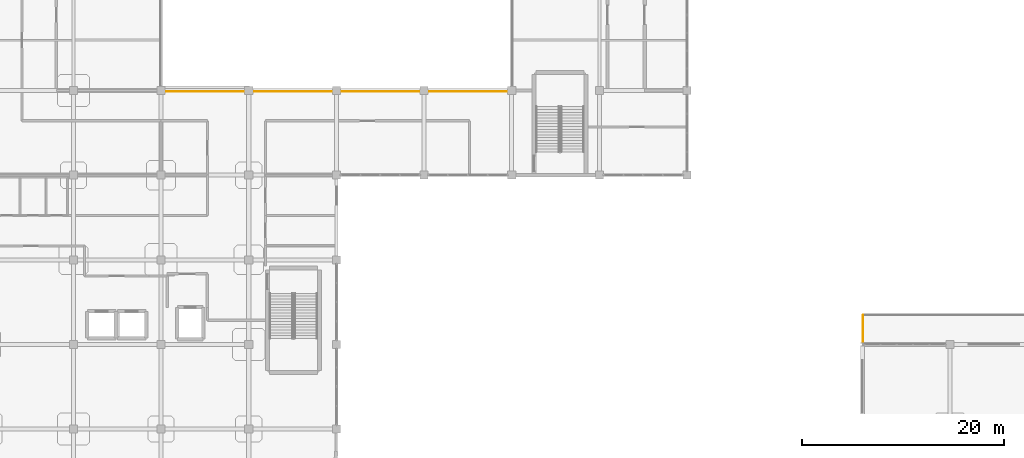
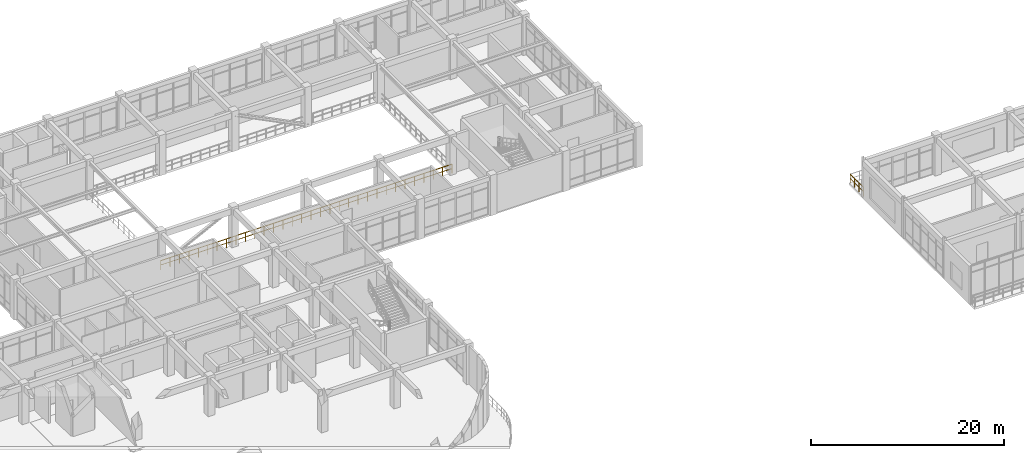
# One storey, part 90 of 96: 2 railings.
"""IFC4 building model written with IfcOpenShell, lengths in metres."""

from ifc_helpers import new_model, si_unit, derived_unit, direction, frame, origin, origin_2d, place, context, subcontext, project, spatial, circle, extrude, material, type_object, element, save


model = new_model("IFC4")

# Units and contexts
model_context = context("Model", 3, precision=1e-05, world=origin(), true_north=direction((0.0, 1.0)))
body_context = subcontext(model_context, "Body", "Model", "MODEL_VIEW")
ifc_project = project(units=[si_unit("LENGTHUNIT", "METRE"), si_unit("AREAUNIT", "SQUARE_METRE"), si_unit("VOLUMEUNIT", "CUBIC_METRE"), si_unit("PLANEANGLEUNIT", "RADIAN"), si_unit("MASSUNIT", "GRAM", prefix="KILO"), derived_unit("THERMALTRANSMITTANCEUNIT", [(si_unit("MASSUNIT", "GRAM", prefix="KILO"), 1), (si_unit("TIMEUNIT", "SECOND"), -3), (si_unit("THERMODYNAMICTEMPERATUREUNIT", "KELVIN"), -1)])], contexts=[model_context])

# Site, building, storey
site_placement = place(None, origin())
site = spatial("IfcSite", under=ifc_project, at=site_placement, CompositionType="ELEMENT")
building_placement = place(site_placement, origin())
building = spatial("IfcBuilding", under=site, at=building_placement, Name="Qinzheling Arcade Emporium", CompositionType="ELEMENT")
storey_placement = place(building_placement, frame((0.0, 0.0, 21.60009765625)))
storey = spatial("IfcBuildingStorey", under=building, at=storey_placement, Name="L05", CompositionType="ELEMENT", Elevation=21.60009765625)

# Railings
ifc_material_1 = material(Name="Architectural bronze rail and laminated safety glass", Category="glass")
railing_type_1 = type_object("IfcRailingType", Name="Curved Terrace Laminated Glass and Bronze Balustrade 1150", PredefinedType="BALUSTRADE", material=ifc_material_1)
railing_1_placement = place(storey_placement, frame((121.8798828125, 25.419921875, 0.0)))
element("IfcRailing", 1, at=railing_1_placement, inside=storey, type_object=railing_type_1, Name="Terrace Balustrade RLG-TER-L05-011", PredefinedType="BALUSTRADE", context=body_context, shape_type="SweptSolid", body=[
    extrude(circle(Radius=0.02392578125, at=origin_2d()), frame((0.0, 0.0, 1.1259765625), z_axis=(0.0, 1.0, 0.0), x_axis=(-1.0, 0.0, 0.0)), (0.0, 0.0, 1.0), 2.7001953125),
    extrude(circle(Radius=0.01611328125, at=origin_2d()), frame((0.0, 0.0, 0.574951171875), z_axis=(0.0, 1.0, 0.0), x_axis=(-1.0, 0.0, 0.0)), (0.0, 0.0, 1.0), 2.7001953125),
    extrude(circle(Radius=0.02099609375, at=origin_2d()), origin(), (0.0, 0.0, 1.0), 1.101806640625),
    extrude(circle(Radius=0.02099609375, at=origin_2d()), frame((0.0, 0.900146484375, 0.0)), (0.0, 0.0, 1.0), 1.101806640625),
    extrude(circle(Radius=0.02099609375, at=origin_2d()), frame((0.0, 1.800048828125, 0.0)), (0.0, 0.0, 1.0), 1.101806640625),
    extrude(circle(Radius=0.02099609375, at=origin_2d()), frame((0.0, 2.7001953125, 0.0)), (0.0, 0.0, 1.0), 1.101806640625),
])
ifc_material_2 = material(Name="Galvanised powder-coated tubular steel", Category="steel")
railing_type_2 = type_object("IfcRailingType", Name="Painted Steel Stairwell Guard Railing 1150", PredefinedType="GUARDRAIL", material=ifc_material_2)
railing_2_placement = place(storey_placement, frame((52.169921875, 50.320068359375, 0.0)))
element("IfcRailing", 2, at=railing_2_placement, inside=storey, type_object=railing_type_2, Name="Atrium Void Guard L05 S", PredefinedType="GUARDRAIL", context=body_context, shape_type="SweptSolid", body=[
    extrude(circle(Radius=0.02392578125, at=origin_2d()), frame((0.0, 0.0, 1.1259765625), z_axis=(1.0, 0.0, 0.0), x_axis=(0.0, 1.0, 0.0)), (0.0, 0.0, 1.0), 34.860107421875),
    extrude(circle(Radius=0.01611328125, at=origin_2d()), frame((0.0, 0.0, 0.574951171875), z_axis=(1.0, 0.0, 0.0), x_axis=(0.0, 1.0, 0.0)), (0.0, 0.0, 1.0), 34.860107421875),
    extrude(circle(Radius=0.02099609375, at=origin_2d()), origin(), (0.0, 0.0, 1.0), 1.101806640625),
    extrude(circle(Radius=0.02099609375, at=origin_2d()), frame((1.12451171875, 0.0, 0.0)), (0.0, 0.0, 1.0), 1.101806640625),
    extrude(circle(Radius=0.02099609375, at=origin_2d()), frame((2.2490234375, 0.0, 0.0)), (0.0, 0.0, 1.0), 1.101806640625),
    extrude(circle(Radius=0.02099609375, at=origin_2d()), frame((3.37353515625, 0.0, 0.0)), (0.0, 0.0, 1.0), 1.101806640625),
    extrude(circle(Radius=0.02099609375, at=origin_2d()), frame((4.498046875, 0.0, 0.0)), (0.0, 0.0, 1.0), 1.101806640625),
    extrude(circle(Radius=0.02099609375, at=origin_2d()), frame((5.62255859375, 0.0, 0.0)), (0.0, 0.0, 1.0), 1.101806640625),
    extrude(circle(Radius=0.02099609375, at=origin_2d()), frame((6.7470703125, 0.0, 0.0)), (0.0, 0.0, 1.0), 1.101806640625),
    extrude(circle(Radius=0.02099609375, at=origin_2d()), frame((7.87158203125, 0.0, 0.0)), (0.0, 0.0, 1.0), 1.101806640625),
    extrude(circle(Radius=0.02099609375, at=origin_2d()), frame((8.99609375, 0.0, 0.0)), (0.0, 0.0, 1.0), 1.101806640625),
    extrude(circle(Radius=0.02099609375, at=origin_2d()), frame((10.12060546875, 0.0, 0.0)), (0.0, 0.0, 1.0), 1.101806640625),
    extrude(circle(Radius=0.02099609375, at=origin_2d()), frame((11.2451171875, 0.0, 0.0)), (0.0, 0.0, 1.0), 1.101806640625),
    extrude(circle(Radius=0.02099609375, at=origin_2d()), frame((12.36962890625, 0.0, 0.0)), (0.0, 0.0, 1.0), 1.101806640625),
    extrude(circle(Radius=0.02099609375, at=origin_2d()), frame((13.494140625, 0.0, 0.0)), (0.0, 0.0, 1.0), 1.101806640625),
    extrude(circle(Radius=0.02099609375, at=origin_2d()), frame((14.61865234375, 0.0, 0.0)), (0.0, 0.0, 1.0), 1.101806640625),
    extrude(circle(Radius=0.02099609375, at=origin_2d()), frame((15.7431640625, 0.0, 0.0)), (0.0, 0.0, 1.0), 1.101806640625),
    extrude(circle(Radius=0.02099609375, at=origin_2d()), frame((16.86767578125, 0.0, 0.0)), (0.0, 0.0, 1.0), 1.101806640625),
    extrude(circle(Radius=0.02099609375, at=origin_2d()), frame((17.992431640625, 0.0, 0.0)), (0.0, 0.0, 1.0), 1.101806640625),
    extrude(circle(Radius=0.02099609375, at=origin_2d()), frame((19.116943359375, 0.0, 0.0)), (0.0, 0.0, 1.0), 1.101806640625),
    extrude(circle(Radius=0.02099609375, at=origin_2d()), frame((20.241455078125, 0.0, 0.0)), (0.0, 0.0, 1.0), 1.101806640625),
    extrude(circle(Radius=0.02099609375, at=origin_2d()), frame((21.365966796875, 0.0, 0.0)), (0.0, 0.0, 1.0), 1.101806640625),
    extrude(circle(Radius=0.02099609375, at=origin_2d()), frame((22.490478515625, 0.0, 0.0)), (0.0, 0.0, 1.0), 1.101806640625),
    extrude(circle(Radius=0.02099609375, at=origin_2d()), frame((23.614990234375, 0.0, 0.0)), (0.0, 0.0, 1.0), 1.101806640625),
    extrude(circle(Radius=0.02099609375, at=origin_2d()), frame((24.739501953125, 0.0, 0.0)), (0.0, 0.0, 1.0), 1.101806640625),
    extrude(circle(Radius=0.02099609375, at=origin_2d()), frame((25.864013671875, 0.0, 0.0)), (0.0, 0.0, 1.0), 1.101806640625),
    extrude(circle(Radius=0.02099609375, at=origin_2d()), frame((26.988525390625, 0.0, 0.0)), (0.0, 0.0, 1.0), 1.101806640625),
    extrude(circle(Radius=0.02099609375, at=origin_2d()), frame((28.113037109375, 0.0, 0.0)), (0.0, 0.0, 1.0), 1.101806640625),
    extrude(circle(Radius=0.02099609375, at=origin_2d()), frame((29.237548828125, 0.0, 0.0)), (0.0, 0.0, 1.0), 1.101806640625),
    extrude(circle(Radius=0.02099609375, at=origin_2d()), frame((30.362060546875, 0.0, 0.0)), (0.0, 0.0, 1.0), 1.101806640625),
    extrude(circle(Radius=0.02099609375, at=origin_2d()), frame((31.486572265625, 0.0, 0.0)), (0.0, 0.0, 1.0), 1.101806640625),
    extrude(circle(Radius=0.02099609375, at=origin_2d()), frame((32.611083984375, 0.0, 0.0)), (0.0, 0.0, 1.0), 1.101806640625),
    extrude(circle(Radius=0.02099609375, at=origin_2d()), frame((33.735595703125, 0.0, 0.0)), (0.0, 0.0, 1.0), 1.101806640625),
    extrude(circle(Radius=0.02099609375, at=origin_2d()), frame((34.860107421875, 0.0, 0.0)), (0.0, 0.0, 1.0), 1.101806640625),
])

save(model, "model.ifc")
